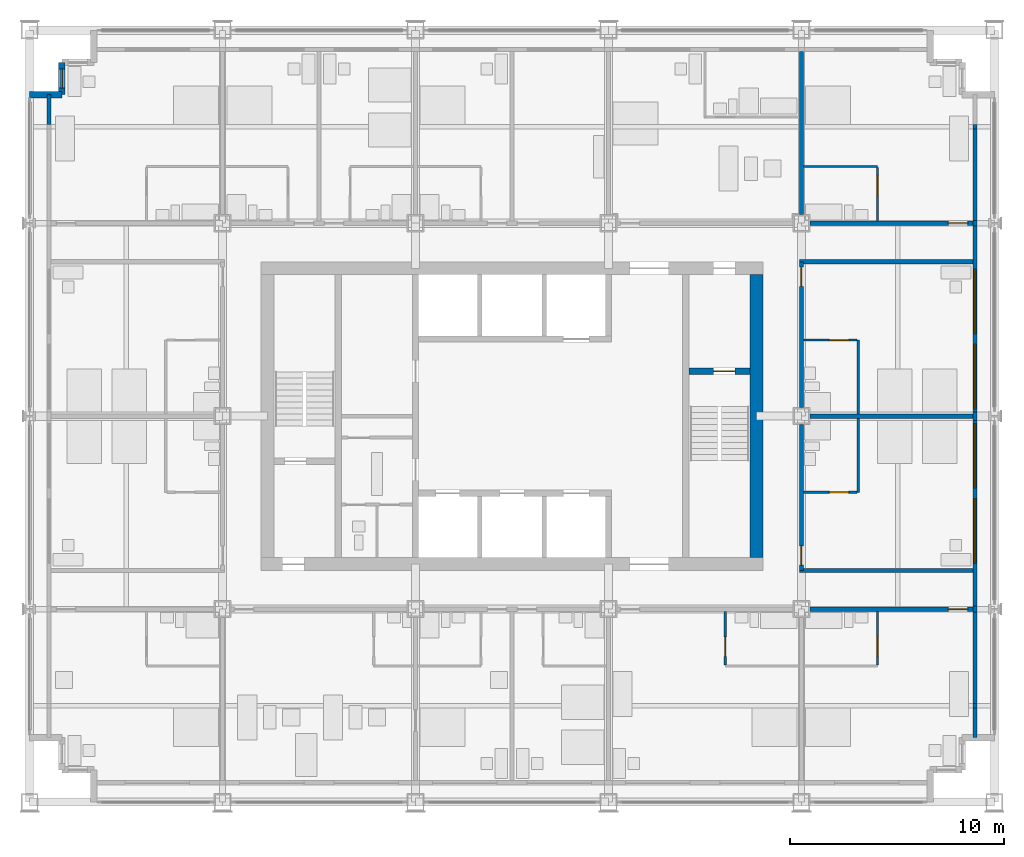
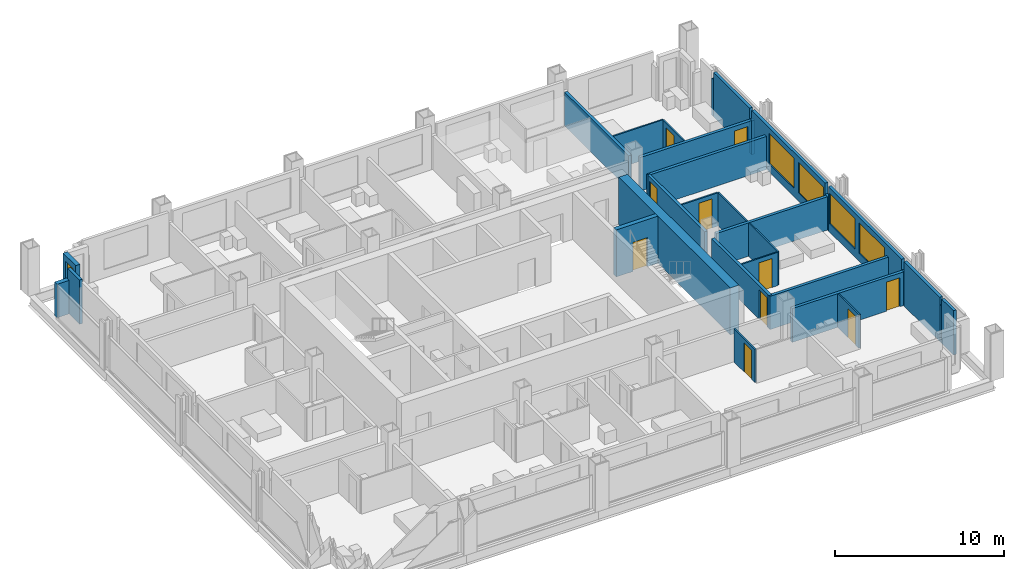
# One storey, part 12 of 16: 31 walls, 10 doors, 5 windows, 15 openings.
"""IFC4 building model written with IfcOpenShell, lengths in metres."""

from ifc_helpers import new_model, si_unit, direction, frame, frame_2d, origin, place, context, subcontext, project, spatial, rectangle, extrude, material, layer, layer_set, type_object, element, fill, save


model = new_model("IFC4")

# Units and contexts
model_context = context("Model", 3, precision=1e-05, world=origin(), true_north=direction((0.0, 1.0)))
body_context = subcontext(model_context, "Body", "Model", "MODEL_VIEW")
ifc_project = project(units=[si_unit("LENGTHUNIT", "METRE"), si_unit("AREAUNIT", "SQUARE_METRE"), si_unit("VOLUMEUNIT", "CUBIC_METRE"), si_unit("PLANEANGLEUNIT", "RADIAN"), si_unit("MASSUNIT", "GRAM", prefix="KILO")], contexts=[model_context])

# Site, building, storey
site_placement = place(None, origin())
site = spatial("IfcSite", under=ifc_project, at=site_placement, CompositionType="ELEMENT")
building_placement = place(site_placement, origin())
building = spatial("IfcBuilding", under=site, at=building_placement, Name="Loomwork Tower", CompositionType="ELEMENT")
storey_placement = place(building_placement, frame((0.0, 0.0, 131.60009765625)))
storey = spatial("IfcBuildingStorey", under=building, at=storey_placement, Name="L35", CompositionType="ELEMENT", Elevation=131.60009765625)

# Wall, opening, door
ifc_material_1 = material(Name="Concrete 14000 psi (97 MPa)", Category="concrete")
ifc_layer_1 = layer(ifc_material_1, 0.300048828125)
ifc_layer_set_1 = layer_set([ifc_layer_1], Name="Core shear wall 300")
wall_type_1 = type_object("IfcWallType", Name="Core shear wall 300", PredefinedType="SHEAR", material=ifc_layer_set_1)
wall_1_placement = place(storey_placement, frame((30.75, 20.10009765625, 0.0), z_axis=(0.0, 0.0, 1.0), x_axis=(1.0, 0.0, 0.0)))
wall_1 = element("IfcWall", 1, at=wall_1_placement, inside=storey, type_object=wall_type_1, Name="Stair B north wall L35", PredefinedType="SHEAR", context=body_context, shape_type="SweptSolid", body=[
    extrude(rectangle(XDim=2.85009765625, YDim=0.300048828125, at=frame_2d((1.425048828125, 0.0))), origin(), (0.0, 0.0, 1.0), 3.39990234375),
])
opening_1_placement = place(wall_1_placement, frame((1.14990234375, 0.0, 0.0)))
opening_1 = element("IfcOpeningElement", 2, at=opening_1_placement, cuts=wall_1, Name="Opening D4", PredefinedType="OPENING", context=body_context, shape_type="SweptSolid", body=[
    extrude(rectangle(XDim=1.0, YDim=2.10009765625, at=frame_2d((0.5, 1.050048828125))), frame((0.0, 0.159912109375, 0.0), z_axis=(0.0, -1.0, 0.0), x_axis=(1.0, 0.0, 0.0)), (0.0, 0.0, 1.0), 0.320068359375),
])
ifc_material_2 = material(Name="Hollow metal door and frame")
door_type_1 = type_object("IfcDoorType", Name="Stair door 1000", OperationType="SINGLE_SWING_RIGHT", PredefinedType="DOOR", material=ifc_material_2)
door_1_placement = place(opening_1_placement, frame((1.0, 0.0, 0.0), z_axis=(0.0, 0.0, 1.0), x_axis=(-1.0, 0.0, 0.0)))
door_1 = element("IfcDoor", 3, at=door_1_placement, inside=storey, type_object=door_type_1, Name="Stair B door", OperationType="SINGLE_SWING_LEFT", OverallHeight=2.10009765625, OverallWidth=1.0, PredefinedType="DOOR", context=body_context, shape_type="SweptSolid", body=[
    extrude(rectangle(XDim=1.0, YDim=2.10009765625, at=frame_2d((0.5, 1.050048828125))), frame((0.0, 0.02490234375, 0.0), z_axis=(0.0, -1.0, 0.0), x_axis=(1.0, 0.0, 0.0)), (0.0, 0.0, 1.0), 0.050048828125),
])
fill(opening_1, door_1)

# Wall
ifc_material_3 = material(Name="Concrete 14000 psi (97 MPa)", Category="concrete")
ifc_layer_2 = layer(ifc_material_3, 0.60009765625)
ifc_layer_set_2 = layer_set([ifc_layer_2], Name="Core shear wall 600")
wall_type_2 = type_object("IfcWallType", Name="Core shear wall 600", PredefinedType="SHEAR", material=ifc_layer_set_2)
wall_2_placement = place(storey_placement, frame((33.89990234375, 11.39990234375, 0.0), z_axis=(0.0, 0.0, 1.0), x_axis=(0.0, 1.0, 0.0)))
element("IfcWall", 4, at=wall_2_placement, inside=storey, type_object=wall_type_2, Name="Core wall east L35", PredefinedType="SHEAR", context=body_context, shape_type="SweptSolid", body=[
    extrude(rectangle(XDim=13.2001953125, YDim=0.60009765625, at=frame_2d((6.60009765625, 0.0))), origin(), (0.0, 0.0, 1.0), 3.39990234375),
])

# Wall, opening, door
ifc_material_4 = material(Name="Gypsum board on steel studs, one-hour", Category="steel")
ifc_layer_3 = layer(ifc_material_4, 0.199951171875)
ifc_layer_set_3 = layer_set([ifc_layer_3], Name="Corridor wall 200")
wall_type_3 = type_object("IfcWallType", Name="Corridor wall 200", PredefinedType="PARTITIONING", material=ifc_layer_set_3)
wall_3_placement = place(storey_placement, frame((36.39990234375, 9.0, 0.0), z_axis=(0.0, 0.0, 1.0), x_axis=(1.0, 0.0, 0.0)))
wall_3 = element("IfcWall", 5, at=wall_3_placement, inside=storey, type_object=wall_type_3, Name="South corridor wall 5", PredefinedType="PARTITIONING", context=body_context, shape_type="SweptSolid", body=[
    extrude(rectangle(XDim=7.60009765625, YDim=0.199951171875, at=frame_2d((3.800048828125, 0.0))), origin(), (0.0, 0.0, 1.0), 2.43798828125),
])
opening_2_placement = place(wall_3_placement, frame((6.449951171875, 0.0, 0.0)))
opening_2 = element("IfcOpeningElement", 6, at=opening_2_placement, cuts=wall_3, Name="Opening D1", PredefinedType="OPENING", context=body_context, shape_type="SweptSolid", body=[
    extrude(rectangle(XDim=0.89990234375, YDim=2.10009765625, at=frame_2d((0.449951171875, 1.050048828125))), frame((0.0, 0.10986328125, 0.0), z_axis=(0.0, -1.0, 0.0), x_axis=(1.0, 0.0, 0.0)), (0.0, 0.0, 1.0), 0.219970703125),
])
ifc_material_5 = material(Name="Hollow metal door and frame")
door_type_2 = type_object("IfcDoorType", Name="Guest room entry door 900", OperationType="SINGLE_SWING_LEFT", PredefinedType="DOOR", material=ifc_material_5)
door_2_placement = place(opening_2_placement, frame((0.89990234375, 0.0, 0.0), z_axis=(0.0, 0.0, 1.0), x_axis=(-1.0, 0.0, 0.0)))
door_2 = element("IfcDoor", 7, at=door_2_placement, inside=storey, type_object=door_type_2, Name="Guest room entry door L35 6", OperationType="SINGLE_SWING_LEFT", OverallHeight=2.10009765625, OverallWidth=0.89990234375, PredefinedType="DOOR", context=body_context, shape_type="SweptSolid", body=[
    extrude(rectangle(XDim=0.89990234375, YDim=2.10009765625, at=frame_2d((0.449951171875, 1.050048828125))), frame((0.0, 0.02490234375, 0.0), z_axis=(0.0, -1.0, 0.0), x_axis=(1.0, 0.0, 0.0)), (0.0, 0.0, 1.0), 0.050048828125),
])
fill(opening_2, door_2)

wall_4_placement = place(storey_placement, frame((36.39990234375, 27.0, 0.0), z_axis=(0.0, 0.0, 1.0), x_axis=(1.0, 0.0, 0.0)))
wall_4 = element("IfcWall", 8, at=wall_4_placement, inside=storey, type_object=wall_type_3, Name="North corridor wall 5", PredefinedType="PARTITIONING", context=body_context, shape_type="SweptSolid", body=[
    extrude(rectangle(XDim=7.60009765625, YDim=0.199951171875, at=frame_2d((3.800048828125, 0.0))), origin(), (0.0, 0.0, 1.0), 2.43798828125),
])
opening_3_placement = place(wall_4_placement, frame((6.449951171875, 0.0, 0.0)))
opening_3 = element("IfcOpeningElement", 9, at=opening_3_placement, cuts=wall_4, Name="Opening D1", PredefinedType="OPENING", context=body_context, shape_type="SweptSolid", body=[
    extrude(rectangle(XDim=0.89990234375, YDim=2.10009765625, at=frame_2d((0.449951171875, 1.050048828125))), frame((0.0, 0.10986328125, 0.0), z_axis=(0.0, -1.0, 0.0), x_axis=(1.0, 0.0, 0.0)), (0.0, 0.0, 1.0), 0.219970703125),
])
door_3_placement = place(opening_3_placement, origin())
door_3 = element("IfcDoor", 10, at=door_3_placement, inside=storey, type_object=door_type_2, Name="Guest room entry door L35 13", OperationType="SINGLE_SWING_RIGHT", OverallHeight=2.10009765625, OverallWidth=0.89990234375, PredefinedType="DOOR", context=body_context, shape_type="SweptSolid", body=[
    extrude(rectangle(XDim=0.89990234375, YDim=2.10009765625, at=frame_2d((0.449951171875, 1.050048828125))), frame((0.0, 0.02490234375, 0.0), z_axis=(0.0, -1.0, 0.0), x_axis=(1.0, 0.0, 0.0)), (0.0, 0.0, 1.0), 0.050048828125),
])
fill(opening_3, door_3)

wall_5_placement = place(storey_placement, frame((36.0, 10.800048828125, 0.0), z_axis=(0.0, 0.0, 1.0), x_axis=(0.0, 1.0, 0.0)))
wall_5 = element("IfcWall", 11, at=wall_5_placement, inside=storey, type_object=wall_type_3, Name="East corridor wall 1", PredefinedType="PARTITIONING", context=body_context, shape_type="SweptSolid", body=[
    extrude(rectangle(XDim=6.800048828125, YDim=0.199951171875, at=frame_2d((3.39990234375, 0.0))), origin(), (0.0, 0.0, 1.0), 2.40478515625),
])
opening_4_placement = place(wall_5_placement, frame((0.25, 0.0, 0.0)))
opening_4 = element("IfcOpeningElement", 12, at=opening_4_placement, cuts=wall_5, Name="Opening D1", PredefinedType="OPENING", context=body_context, shape_type="SweptSolid", body=[
    extrude(rectangle(XDim=0.89990234375, YDim=2.10009765625, at=frame_2d((0.449951171875, 1.050048828125))), frame((0.0, 0.10986328125, 0.0), z_axis=(0.0, -1.0, 0.0), x_axis=(1.0, 0.0, 0.0)), (0.0, 0.0, 1.0), 0.219970703125),
])
door_4_placement = place(opening_4_placement, frame((0.89990234375, 0.0, 0.0), z_axis=(0.0, 0.0, 1.0), x_axis=(-1.0, 0.0, 0.0)))
door_4 = element("IfcDoor", 13, at=door_4_placement, inside=storey, type_object=door_type_2, Name="Guest room entry door L35 16", OperationType="SINGLE_SWING_RIGHT", OverallHeight=2.10009765625, OverallWidth=0.89990234375, PredefinedType="DOOR", context=body_context, shape_type="SweptSolid", body=[
    extrude(rectangle(XDim=0.89990234375, YDim=2.10009765625, at=frame_2d((0.449951171875, 1.050048828125))), frame((0.0, 0.02490234375, 0.0), z_axis=(0.0, -1.0, 0.0), x_axis=(1.0, 0.0, 0.0)), (0.0, 0.0, 1.0), 0.050048828125),
])
fill(opening_4, door_4)

wall_6_placement = place(storey_placement, frame((36.0, 18.39990234375, 0.0), z_axis=(0.0, 0.0, 1.0), x_axis=(0.0, 1.0, 0.0)))
wall_6 = element("IfcWall", 14, at=wall_6_placement, inside=storey, type_object=wall_type_3, Name="East corridor wall 2", PredefinedType="PARTITIONING", context=body_context, shape_type="SweptSolid", body=[
    extrude(rectangle(XDim=6.800048828125, YDim=0.199951171875, at=frame_2d((3.39990234375, 0.0))), origin(), (0.0, 0.0, 1.0), 2.40478515625),
])
opening_5_placement = place(wall_6_placement, frame((5.64990234375, 0.0, 0.0)))
opening_5 = element("IfcOpeningElement", 15, at=opening_5_placement, cuts=wall_6, Name="Opening D1", PredefinedType="OPENING", context=body_context, shape_type="SweptSolid", body=[
    extrude(rectangle(XDim=0.89990234375, YDim=2.10009765625, at=frame_2d((0.449951171875, 1.050048828125))), frame((0.0, 0.10986328125, 0.0), z_axis=(0.0, -1.0, 0.0), x_axis=(1.0, 0.0, 0.0)), (0.0, 0.0, 1.0), 0.219970703125),
])
door_5_placement = place(opening_5_placement, frame((0.89990234375, 0.0, 0.0), z_axis=(0.0, 0.0, 1.0), x_axis=(-1.0, 0.0, 0.0)))
door_5 = element("IfcDoor", 16, at=door_5_placement, inside=storey, type_object=door_type_2, Name="Guest room entry door L35 17", OperationType="SINGLE_SWING_LEFT", OverallHeight=2.10009765625, OverallWidth=0.89990234375, PredefinedType="DOOR", context=body_context, shape_type="SweptSolid", body=[
    extrude(rectangle(XDim=0.89990234375, YDim=2.10009765625, at=frame_2d((0.449951171875, 1.050048828125))), frame((0.0, 0.02490234375, 0.0), z_axis=(0.0, -1.0, 0.0), x_axis=(1.0, 0.0, 0.0)), (0.0, 0.0, 1.0), 0.050048828125),
])
fill(opening_5, door_5)

# Walls
for number, where, z_axis, x_axis, name in (
    (17, (35.89990234375, 10.800048828125, 0.0), (0.0, 0.0, 1.0), (1.0, 0.0, 0.0), "East band end wall S"),
    (18, (35.89990234375, 25.199951171875, 0.0), (0.0, 0.0, 1.0), (1.0, 0.0, 0.0), "East band end wall N"),
):
    element("IfcWall", number, at=place(storey_placement, frame(where, z_axis=z_axis, x_axis=x_axis)), inside=storey, type_object=wall_type_3, Name=name, PredefinedType="PARTITIONING", context=body_context, shape_type="SweptSolid", body=[
        extrude(rectangle(XDim=8.10009765625, YDim=0.199951171875, at=frame_2d((4.050048828125, 0.0))), origin(), (0.0, 0.0, 1.0), 2.40380859375),
    ])

# Wall, opening, door
ifc_material_6 = material(Name="Cement board on steel studs", Category="steel")
ifc_layer_4 = layer(ifc_material_6, 0.10009765625)
ifc_layer_set_4 = layer_set([ifc_layer_4], Name="En-suite partition 100")
wall_type_4 = type_object("IfcWallType", Name="En-suite partition 100", PredefinedType="PARTITIONING", material=ifc_layer_set_4)
wall_7_placement = place(storey_placement, frame((32.449951171875, 8.89990234375, 0.0), z_axis=(0.0, 0.0, 1.0), x_axis=(0.0, -1.0, 0.0)))
wall_7 = element("IfcWall", 19, at=wall_7_placement, inside=storey, type_object=wall_type_4, Name="En-suite side wall L35 room 5", PredefinedType="PARTITIONING", context=body_context, shape_type="SweptSolid", body=[
    extrude(rectangle(XDim=2.5, YDim=0.10009765625, at=frame_2d((1.25, 0.0))), origin(), (0.0, 0.0, 1.0), 2.40380859375),
])
opening_6_placement = place(wall_7_placement, frame((1.199951171875, 0.0, 0.0)))
opening_6 = element("IfcOpeningElement", 20, at=opening_6_placement, cuts=wall_7, Name="Opening D2", PredefinedType="OPENING", context=body_context, shape_type="SweptSolid", body=[
    extrude(rectangle(XDim=0.89990234375, YDim=2.10009765625, at=frame_2d((0.449951171875, 1.050048828125))), frame((0.0, 0.06005859375, 0.0), z_axis=(0.0, -1.0, 0.0), x_axis=(1.0, 0.0, 0.0)), (0.0, 0.0, 1.0), 0.1201171875),
])
ifc_material_7 = material(Name="Hollow metal door and frame")
door_type_3 = type_object("IfcDoorType", Name="En-suite door 900", OperationType="SINGLE_SWING_LEFT", PredefinedType="DOOR", material=ifc_material_7)
door_6_placement = place(opening_6_placement, origin())
door_6 = element("IfcDoor", 21, at=door_6_placement, inside=storey, type_object=door_type_3, Name="En-suite door room 5", OperationType="SINGLE_SWING_RIGHT", OverallHeight=2.10009765625, OverallWidth=0.89990234375, PredefinedType="DOOR", context=body_context, shape_type="SweptSolid", body=[
    extrude(rectangle(XDim=0.89990234375, YDim=2.10009765625, at=frame_2d((0.449951171875, 1.050048828125))), frame((0.0, 0.02490234375, 0.0), z_axis=(0.0, -1.0, 0.0), x_axis=(1.0, 0.0, 0.0)), (0.0, 0.0, 1.0), 0.050048828125),
])
fill(opening_6, door_6)

wall_8_placement = place(storey_placement, frame((39.550048828125, 8.89990234375, 0.0), z_axis=(0.0, 0.0, 1.0), x_axis=(0.0, -1.0, 0.0)))
wall_8 = element("IfcWall", 22, at=wall_8_placement, inside=storey, type_object=wall_type_4, Name="En-suite side wall L35 room 6", PredefinedType="PARTITIONING", context=body_context, shape_type="SweptSolid", body=[
    extrude(rectangle(XDim=2.5, YDim=0.10009765625, at=frame_2d((1.25, 0.0))), origin(), (0.0, 0.0, 1.0), 2.43798828125),
])
opening_7_placement = place(wall_8_placement, frame((1.199951171875, 0.0, 0.0)))
opening_7 = element("IfcOpeningElement", 23, at=opening_7_placement, cuts=wall_8, Name="Opening D2", PredefinedType="OPENING", context=body_context, shape_type="SweptSolid", body=[
    extrude(rectangle(XDim=0.89990234375, YDim=2.10009765625, at=frame_2d((0.449951171875, 1.050048828125))), frame((0.0, 0.06005859375, 0.0), z_axis=(0.0, -1.0, 0.0), x_axis=(1.0, 0.0, 0.0)), (0.0, 0.0, 1.0), 0.1201171875),
])
door_7_placement = place(opening_7_placement, frame((0.89990234375, 0.0, 0.0), z_axis=(0.0, 0.0, 1.0), x_axis=(-1.0, 0.0, 0.0)))
door_7 = element("IfcDoor", 24, at=door_7_placement, inside=storey, type_object=door_type_3, Name="En-suite door room 6", OperationType="SINGLE_SWING_LEFT", OverallHeight=2.10009765625, OverallWidth=0.89990234375, PredefinedType="DOOR", context=body_context, shape_type="SweptSolid", body=[
    extrude(rectangle(XDim=0.89990234375, YDim=2.10009765625, at=frame_2d((0.449951171875, 1.050048828125))), frame((0.0, 0.02490234375, 0.0), z_axis=(0.0, -1.0, 0.0), x_axis=(1.0, 0.0, 0.0)), (0.0, 0.0, 1.0), 0.050048828125),
])
fill(opening_7, door_7)

# Wall
wall_9_placement = place(storey_placement, frame((36.10009765625, 29.64990234375, 0.0), z_axis=(0.0, 0.0, 1.0), x_axis=(1.0, 0.0, 0.0)))
element("IfcWall", 25, at=wall_9_placement, inside=storey, type_object=wall_type_4, Name="En-suite wall L35 room 13", PredefinedType="PARTITIONING", context=body_context, shape_type="SweptSolid", body=[
    extrude(rectangle(XDim=3.449951171875, YDim=0.10009765625, at=frame_2d((1.72509765625, 0.0))), origin(), (0.0, 0.0, 1.0), 2.43798828125),
])

# Wall, opening, door
wall_10_placement = place(storey_placement, frame((39.550048828125, 27.10009765625, 0.0), z_axis=(0.0, 0.0, 1.0), x_axis=(0.0, 1.0, 0.0)))
wall_10 = element("IfcWall", 26, at=wall_10_placement, inside=storey, type_object=wall_type_4, Name="En-suite side wall L35 room 13", PredefinedType="PARTITIONING", context=body_context, shape_type="SweptSolid", body=[
    extrude(rectangle(XDim=2.5, YDim=0.10009765625, at=frame_2d((1.25, 0.0))), origin(), (0.0, 0.0, 1.0), 2.43798828125),
])
opening_8_placement = place(wall_10_placement, frame((1.199951171875, 0.0, 0.0)))
opening_8 = element("IfcOpeningElement", 27, at=opening_8_placement, cuts=wall_10, Name="Opening D2", PredefinedType="OPENING", context=body_context, shape_type="SweptSolid", body=[
    extrude(rectangle(XDim=0.89990234375, YDim=2.10009765625, at=frame_2d((0.449951171875, 1.050048828125))), frame((0.0, 0.06005859375, 0.0), z_axis=(0.0, -1.0, 0.0), x_axis=(1.0, 0.0, 0.0)), (0.0, 0.0, 1.0), 0.1201171875),
])
door_8_placement = place(opening_8_placement, origin())
door_8 = element("IfcDoor", 28, at=door_8_placement, inside=storey, type_object=door_type_3, Name="En-suite door room 13", OperationType="SINGLE_SWING_RIGHT", OverallHeight=2.10009765625, OverallWidth=0.89990234375, PredefinedType="DOOR", context=body_context, shape_type="SweptSolid", body=[
    extrude(rectangle(XDim=0.89990234375, YDim=2.10009765625, at=frame_2d((0.449951171875, 1.050048828125))), frame((0.0, 0.02490234375, 0.0), z_axis=(0.0, -1.0, 0.0), x_axis=(1.0, 0.0, 0.0)), (0.0, 0.0, 1.0), 0.050048828125),
])
fill(opening_8, door_8)

# Wall
wall_11_placement = place(storey_placement, frame((38.64990234375, 14.449951171875, 0.0), z_axis=(0.0, 0.0, 1.0), x_axis=(0.0, 1.0, 0.0)))
element("IfcWall", 29, at=wall_11_placement, inside=storey, type_object=wall_type_4, Name="En-suite wall L35 room 16", PredefinedType="PARTITIONING", context=body_context, shape_type="SweptSolid", body=[
    extrude(rectangle(XDim=3.449951171875, YDim=0.10009765625, at=frame_2d((1.72509765625, 0.0))), origin(), (0.0, 0.0, 1.0), 2.40380859375),
])

# Wall, opening, door
wall_12_placement = place(storey_placement, frame((36.10009765625, 14.449951171875, 0.0), z_axis=(0.0, 0.0, 1.0), x_axis=(1.0, 0.0, 0.0)))
wall_12 = element("IfcWall", 30, at=wall_12_placement, inside=storey, type_object=wall_type_4, Name="En-suite side wall L35 room 16", PredefinedType="PARTITIONING", context=body_context, shape_type="SweptSolid", body=[
    extrude(rectangle(XDim=2.5, YDim=0.10009765625, at=frame_2d((1.25, 0.0))), origin(), (0.0, 0.0, 1.0), 2.40380859375),
])
opening_9_placement = place(wall_12_placement, frame((1.199951171875, 0.0, 0.0)))
opening_9 = element("IfcOpeningElement", 31, at=opening_9_placement, cuts=wall_12, Name="Opening D2", PredefinedType="OPENING", context=body_context, shape_type="SweptSolid", body=[
    extrude(rectangle(XDim=0.89990234375, YDim=2.10009765625, at=frame_2d((0.449951171875, 1.050048828125))), frame((0.0, 0.06005859375, 0.0), z_axis=(0.0, -1.0, 0.0), x_axis=(1.0, 0.0, 0.0)), (0.0, 0.0, 1.0), 0.1201171875),
])
door_9_placement = place(opening_9_placement, origin())
door_9 = element("IfcDoor", 32, at=door_9_placement, inside=storey, type_object=door_type_3, Name="En-suite door room 16", OperationType="SINGLE_SWING_RIGHT", OverallHeight=2.10009765625, OverallWidth=0.89990234375, PredefinedType="DOOR", context=body_context, shape_type="SweptSolid", body=[
    extrude(rectangle(XDim=0.89990234375, YDim=2.10009765625, at=frame_2d((0.449951171875, 1.050048828125))), frame((0.0, 0.02490234375, 0.0), z_axis=(0.0, -1.0, 0.0), x_axis=(1.0, 0.0, 0.0)), (0.0, 0.0, 1.0), 0.050048828125),
])
fill(opening_9, door_9)

# Wall
wall_13_placement = place(storey_placement, frame((38.64990234375, 18.10009765625, 0.0), z_axis=(0.0, 0.0, 1.0), x_axis=(0.0, 1.0, 0.0)))
element("IfcWall", 33, at=wall_13_placement, inside=storey, type_object=wall_type_4, Name="En-suite wall L35 room 17", PredefinedType="PARTITIONING", context=body_context, shape_type="SweptSolid", body=[
    extrude(rectangle(XDim=3.449951171875, YDim=0.10009765625, at=frame_2d((1.72509765625, 0.0))), origin(), (0.0, 0.0, 1.0), 2.40380859375),
])

# Wall, opening, door
wall_14_placement = place(storey_placement, frame((36.10009765625, 21.550048828125, 0.0), z_axis=(0.0, 0.0, 1.0), x_axis=(1.0, 0.0, 0.0)))
wall_14 = element("IfcWall", 34, at=wall_14_placement, inside=storey, type_object=wall_type_4, Name="En-suite side wall L35 room 17", PredefinedType="PARTITIONING", context=body_context, shape_type="SweptSolid", body=[
    extrude(rectangle(XDim=2.5, YDim=0.10009765625, at=frame_2d((1.25, 0.0))), origin(), (0.0, 0.0, 1.0), 2.40380859375),
])
opening_10_placement = place(wall_14_placement, frame((1.199951171875, 0.0, 0.0)))
opening_10 = element("IfcOpeningElement", 35, at=opening_10_placement, cuts=wall_14, Name="Opening D2", PredefinedType="OPENING", context=body_context, shape_type="SweptSolid", body=[
    extrude(rectangle(XDim=0.89990234375, YDim=2.10009765625, at=frame_2d((0.449951171875, 1.050048828125))), frame((0.0, 0.06005859375, 0.0), z_axis=(0.0, -1.0, 0.0), x_axis=(1.0, 0.0, 0.0)), (0.0, 0.0, 1.0), 0.1201171875),
])
door_10_placement = place(opening_10_placement, frame((0.89990234375, 0.0, 0.0), z_axis=(0.0, 0.0, 1.0), x_axis=(-1.0, 0.0, 0.0)))
door_10 = element("IfcDoor", 36, at=door_10_placement, inside=storey, type_object=door_type_3, Name="En-suite door room 17", OperationType="SINGLE_SWING_LEFT", OverallHeight=2.10009765625, OverallWidth=0.89990234375, PredefinedType="DOOR", context=body_context, shape_type="SweptSolid", body=[
    extrude(rectangle(XDim=0.89990234375, YDim=2.10009765625, at=frame_2d((0.449951171875, 1.050048828125))), frame((0.0, 0.02490234375, 0.0), z_axis=(0.0, -1.0, 0.0), x_axis=(1.0, 0.0, 0.0)), (0.0, 0.0, 1.0), 0.050048828125),
])
fill(opening_10, door_10)

# Walls
ifc_material_8 = material(Name="Gypsum board on steel studs, acoustic", Category="steel")
ifc_layer_5 = layer(ifc_material_8, 0.199951171875)
ifc_layer_set_5 = layer_set([ifc_layer_5], Name="Guest room party wall 200")
wall_type_5 = type_object("IfcWallType", Name="Guest room party wall 200", PredefinedType="PARTITIONING", material=ifc_layer_set_5)
wall_15_placement = place(storey_placement, frame((36.0, 27.39990234375, 0.0), z_axis=(0.0, 0.0, 1.0), x_axis=(0.0, 1.0, 0.0)))
element("IfcWall", 37, at=wall_15_placement, inside=storey, type_object=wall_type_5, Name="Guest room party wall N 36", PredefinedType="PARTITIONING", context=body_context, shape_type="SweptSolid", body=[
    extrude(rectangle(XDim=7.60009765625, YDim=0.199951171875, at=frame_2d((3.800048828125, 0.0))), origin(), (0.0, 0.0, 1.0), 2.43798828125),
])
wall_16_placement = place(storey_placement, frame((36.39990234375, 18.0, 0.0), z_axis=(0.0, 0.0, 1.0), x_axis=(1.0, 0.0, 0.0)))
element("IfcWall", 38, at=wall_16_placement, inside=storey, type_object=wall_type_5, Name="Guest room party wall E 18", PredefinedType="PARTITIONING", context=body_context, shape_type="SweptSolid", body=[
    extrude(rectangle(XDim=7.60009765625, YDim=0.199951171875, at=frame_2d((3.800048828125, 0.0))), origin(), (0.0, 0.0, 1.0), 2.40478515625),
])
ifc_material_9 = material(Name="Insulated steel stud wall with gypsum lining", Category="steel")
ifc_layer_6 = layer(ifc_material_9, 0.199951171875)
ifc_layer_set_6 = layer_set([ifc_layer_6], Name="Inner skin wall 200")
wall_type_6 = type_object("IfcWallType", Name="Inner skin wall 200", PredefinedType="SOLIDWALL", material=ifc_layer_set_6)
for number, where, z_axis, x_axis, name in (
    (39, (44.10009765625, 3.0, 0.0), (0.0, 0.0, 1.0), (0.0, 1.0, 0.0), "Inner skin wall E"),
    (40, (0.89990234375, 31.607421875, 0.0), (0.0, 0.0, 1.0), (0.0, 1.0, 0.0), "Inner skin wall W bay 11"),
):
    element("IfcWall", number, at=place(storey_placement, frame(where, z_axis=z_axis, x_axis=x_axis)), inside=storey, type_object=wall_type_6, Name=name, PredefinedType="SOLIDWALL", context=body_context, shape_type="SweptSolid", body=[
        extrude(rectangle(XDim=1.392578125, YDim=0.199951171875, at=frame_2d((0.6962890625, 0.0))), origin(), (0.0, 0.0, 1.0), 3.199951171875),
    ])
wall_17_placement = place(storey_placement, frame((44.10009765625, 4.392578125, 0.0), z_axis=(0.0, 0.0, 1.0), x_axis=(0.0, 1.0, 0.0)))
element("IfcWall", 41, at=wall_17_placement, inside=storey, type_object=wall_type_6, Name="Inner skin wall E bay 2", PredefinedType="SOLIDWALL", context=body_context, shape_type="SweptSolid", body=[
    extrude(rectangle(XDim=0.21484375, YDim=0.199951171875, at=frame_2d((0.107421875, 0.0))), origin(), (0.0, 0.0, 1.0), 2.660888671875),
])
wall_18_placement = place(storey_placement, frame((44.10009765625, 4.607421875, 0.0), z_axis=(0.0, 0.0, 1.0), x_axis=(0.0, 1.0, 0.0)))
element("IfcWall", 42, at=wall_18_placement, inside=storey, type_object=wall_type_6, Name="Inner skin wall E bay 3", PredefinedType="SOLIDWALL", context=body_context, shape_type="SweptSolid", body=[
    extrude(rectangle(XDim=4.25732421875, YDim=0.199951171875, at=frame_2d((2.128662109375, 0.0))), origin(), (0.0, 0.0, 1.0), 3.199951171875),
])
wall_19_placement = place(storey_placement, frame((44.10009765625, 8.86474609375, 0.0), z_axis=(0.0, 0.0, 1.0), x_axis=(0.0, 1.0, 0.0)))
element("IfcWall", 43, at=wall_19_placement, inside=storey, type_object=wall_type_6, Name="Inner skin wall E bay 4", PredefinedType="SOLIDWALL", context=body_context, shape_type="SweptSolid", body=[
    extrude(rectangle(XDim=0.2705078125, YDim=0.199951171875, at=frame_2d((0.13525390625, 0.0))), origin(), (0.0, 0.0, 1.0), 2.43798828125),
])

# Wall, openings, windows
wall_20_placement = place(storey_placement, frame((44.10009765625, 9.13525390625, 0.0), z_axis=(0.0, 0.0, 1.0), x_axis=(0.0, 1.0, 0.0)))
wall_20 = element("IfcWall", 44, at=wall_20_placement, inside=storey, type_object=wall_type_6, Name="Inner skin wall E bay 5", PredefinedType="SOLIDWALL", context=body_context, shape_type="SweptSolid", body=[
    extrude(rectangle(XDim=8.6708984375, YDim=0.199951171875, at=frame_2d((4.33544921875, 0.0))), origin(), (0.0, 0.0, 1.0), 3.199951171875),
])
opening_11_placement = place(wall_20_placement, frame((2.0146484375, 0.0, 0.60009765625)))
opening_11 = element("IfcOpeningElement", 45, at=opening_11_placement, cuts=wall_20, Name="Opening CH1", PredefinedType="OPENING", context=body_context, shape_type="SweptSolid", body=[
    extrude(rectangle(XDim=3.0, YDim=2.199951171875, at=frame_2d((1.5, 1.10009765625))), frame((0.0, 0.10986328125, 0.0), z_axis=(0.0, -1.0, 0.0), x_axis=(1.0, 0.0, 0.0)), (0.0, 0.0, 1.0), 0.219970703125),
])
opening_12_placement = place(wall_20_placement, frame((5.5146484375, 0.0, 0.60009765625)))
opening_12 = element("IfcOpeningElement", 46, at=opening_12_placement, cuts=wall_20, Name="Opening CH1", PredefinedType="OPENING", context=body_context, shape_type="SweptSolid", body=[
    extrude(rectangle(XDim=3.0, YDim=2.199951171875, at=frame_2d((1.5, 1.10009765625))), frame((0.0, 0.10986328125, 0.0), z_axis=(0.0, -1.0, 0.0), x_axis=(1.0, 0.0, 0.0)), (0.0, 0.0, 1.0), 0.219970703125),
])
ifc_material_10 = material(Name="Aluminium frame with clear insulated glass", Category="aluminium")
window_type_1 = type_object("IfcWindowType", Name="Chicago window 3000", PartitioningType="TRIPLE_PANEL_VERTICAL", PredefinedType="WINDOW", material=ifc_material_10)
window_1_placement = place(opening_11_placement, origin())
window_1 = element("IfcWindow", 47, at=window_1_placement, inside=storey, type_object=window_type_1, Name="Chicago window L35 bay 13", OverallHeight=2.199951171875, OverallWidth=3.0, PartitioningType="TRIPLE_PANEL_VERTICAL", PredefinedType="WINDOW", context=body_context, shape_type="SweptSolid", body=[
    extrude(rectangle(XDim=3.0, YDim=2.199951171875, at=frame_2d((1.5, 1.10009765625))), frame((0.0, 0.030029296875, 0.0), z_axis=(0.0, -1.0, 0.0), x_axis=(1.0, 0.0, 0.0)), (0.0, 0.0, 1.0), 0.06005859375),
])
fill(opening_11, window_1)
window_2_placement = place(opening_12_placement, origin())
window_2 = element("IfcWindow", 48, at=window_2_placement, inside=storey, type_object=window_type_1, Name="Chicago window L35 bay 13", OverallHeight=2.199951171875, OverallWidth=3.0, PartitioningType="TRIPLE_PANEL_VERTICAL", PredefinedType="WINDOW", context=body_context, shape_type="SweptSolid", body=[
    extrude(rectangle(XDim=3.0, YDim=2.199951171875, at=frame_2d((1.5, 1.10009765625))), frame((0.0, 0.030029296875, 0.0), z_axis=(0.0, -1.0, 0.0), x_axis=(1.0, 0.0, 0.0)), (0.0, 0.0, 1.0), 0.06005859375),
])
fill(opening_12, window_2)

# Wall
wall_21_placement = place(storey_placement, frame((44.10009765625, 17.80615234375, 0.0), z_axis=(0.0, 0.0, 1.0), x_axis=(0.0, 1.0, 0.0)))
element("IfcWall", 49, at=wall_21_placement, inside=storey, type_object=wall_type_6, Name="Inner skin wall E bay 6", PredefinedType="SOLIDWALL", context=body_context, shape_type="SweptSolid", body=[
    extrude(rectangle(XDim=0.3876953125, YDim=0.199951171875, at=frame_2d((0.19384765625, 0.0))), origin(), (0.0, 0.0, 1.0), 2.40380859375),
])

# Wall, openings, windows
wall_22_placement = place(storey_placement, frame((44.10009765625, 18.19384765625, 0.0), z_axis=(0.0, 0.0, 1.0), x_axis=(0.0, 1.0, 0.0)))
wall_22 = element("IfcWall", 50, at=wall_22_placement, inside=storey, type_object=wall_type_6, Name="Inner skin wall E bay 7", PredefinedType="SOLIDWALL", context=body_context, shape_type="SweptSolid", body=[
    extrude(rectangle(XDim=8.6708984375, YDim=0.199951171875, at=frame_2d((4.33544921875, 0.0))), origin(), (0.0, 0.0, 1.0), 3.199951171875),
])
opening_13_placement = place(wall_22_placement, frame((0.15625, 0.0, 0.60009765625)))
opening_13 = element("IfcOpeningElement", 51, at=opening_13_placement, cuts=wall_22, Name="Opening CH1", PredefinedType="OPENING", context=body_context, shape_type="SweptSolid", body=[
    extrude(rectangle(XDim=3.0, YDim=2.199951171875, at=frame_2d((1.5, 1.10009765625))), frame((0.0, 0.10986328125, 0.0), z_axis=(0.0, -1.0, 0.0), x_axis=(1.0, 0.0, 0.0)), (0.0, 0.0, 1.0), 0.219970703125),
])
opening_14_placement = place(wall_22_placement, frame((3.65625, 0.0, 0.60009765625)))
opening_14 = element("IfcOpeningElement", 52, at=opening_14_placement, cuts=wall_22, Name="Opening CH1", PredefinedType="OPENING", context=body_context, shape_type="SweptSolid", body=[
    extrude(rectangle(XDim=3.0, YDim=2.199951171875, at=frame_2d((1.5, 1.10009765625))), frame((0.0, 0.10986328125, 0.0), z_axis=(0.0, -1.0, 0.0), x_axis=(1.0, 0.0, 0.0)), (0.0, 0.0, 1.0), 0.219970703125),
])
window_3_placement = place(opening_13_placement, origin())
window_3 = element("IfcWindow", 53, at=window_3_placement, inside=storey, type_object=window_type_1, Name="Chicago window L35 bay 14", OverallHeight=2.199951171875, OverallWidth=3.0, PartitioningType="TRIPLE_PANEL_VERTICAL", PredefinedType="WINDOW", context=body_context, shape_type="SweptSolid", body=[
    extrude(rectangle(XDim=3.0, YDim=2.199951171875, at=frame_2d((1.5, 1.10009765625))), frame((0.0, 0.030029296875, 0.0), z_axis=(0.0, -1.0, 0.0), x_axis=(1.0, 0.0, 0.0)), (0.0, 0.0, 1.0), 0.06005859375),
])
fill(opening_13, window_3)
window_4_placement = place(opening_14_placement, origin())
window_4 = element("IfcWindow", 54, at=window_4_placement, inside=storey, type_object=window_type_1, Name="Chicago window L35 bay 14", OverallHeight=2.199951171875, OverallWidth=3.0, PartitioningType="TRIPLE_PANEL_VERTICAL", PredefinedType="WINDOW", context=body_context, shape_type="SweptSolid", body=[
    extrude(rectangle(XDim=3.0, YDim=2.199951171875, at=frame_2d((1.5, 1.10009765625))), frame((0.0, 0.030029296875, 0.0), z_axis=(0.0, -1.0, 0.0), x_axis=(1.0, 0.0, 0.0)), (0.0, 0.0, 1.0), 0.06005859375),
])
fill(opening_14, window_4)

# Walls
wall_23_placement = place(storey_placement, frame((44.10009765625, 26.86474609375, 0.0), z_axis=(0.0, 0.0, 1.0), x_axis=(0.0, 1.0, 0.0)))
element("IfcWall", 55, at=wall_23_placement, inside=storey, type_object=wall_type_6, Name="Inner skin wall E bay 8", PredefinedType="SOLIDWALL", context=body_context, shape_type="SweptSolid", body=[
    extrude(rectangle(XDim=0.2705078125, YDim=0.199951171875, at=frame_2d((0.13525390625, 0.0))), origin(), (0.0, 0.0, 1.0), 2.43798828125),
])
wall_24_placement = place(storey_placement, frame((44.10009765625, 27.13525390625, 0.0), z_axis=(0.0, 0.0, 1.0), x_axis=(0.0, 1.0, 0.0)))
element("IfcWall", 56, at=wall_24_placement, inside=storey, type_object=wall_type_6, Name="Inner skin wall E bay 9", PredefinedType="SOLIDWALL", context=body_context, shape_type="SweptSolid", body=[
    extrude(rectangle(XDim=4.25732421875, YDim=0.199951171875, at=frame_2d((2.128662109375, 0.0))), origin(), (0.0, 0.0, 1.0), 3.199951171875),
])
wall_25_placement = place(storey_placement, frame((44.10009765625, 31.392578125, 0.0), z_axis=(0.0, 0.0, 1.0), x_axis=(0.0, 1.0, 0.0)))
element("IfcWall", 57, at=wall_25_placement, inside=storey, type_object=wall_type_6, Name="Inner skin wall E bay 10", PredefinedType="SOLIDWALL", context=body_context, shape_type="SweptSolid", body=[
    extrude(rectangle(XDim=0.21484375, YDim=0.199951171875, at=frame_2d((0.107421875, 0.0))), origin(), (0.0, 0.0, 1.0), 2.660888671875),
])

# Wall, opening, window
ifc_material_11 = material(Name="Limestone on concrete masonry", Category="masonry")
ifc_layer_7 = layer(ifc_material_11, 0.300048828125)
ifc_layer_set_7 = layer_set([ifc_layer_7], Name="Limestone corner wall 300")
wall_type_7 = type_object("IfcWallType", Name="Limestone corner wall 300", PredefinedType="SOLIDWALL", material=ifc_layer_set_7)
wall_26_placement = place(storey_placement, frame((1.5, 34.5, 0.0), z_axis=(0.0, 0.0, 1.0), x_axis=(0.0, -1.0, 0.0)))
wall_26 = element("IfcWall", 58, at=wall_26_placement, inside=storey, type_object=wall_type_7, Name="Stone corner wall NW 3", PredefinedType="SOLIDWALL", context=body_context, shape_type="SweptSolid", body=[
    extrude(rectangle(XDim=1.5, YDim=0.300048828125, at=frame_2d((0.75, 0.0))), origin(), (0.0, 0.0, 1.0), 3.199951171875),
])
opening_15_placement = place(wall_26_placement, frame((0.300048828125, 0.0, 0.60009765625)))
opening_15 = element("IfcOpeningElement", 59, at=opening_15_placement, cuts=wall_26, Name="Opening CH2", PredefinedType="OPENING", context=body_context, shape_type="SweptSolid", body=[
    extrude(rectangle(XDim=0.89990234375, YDim=2.199951171875, at=frame_2d((0.449951171875, 1.10009765625))), frame((0.0, 0.159912109375, 0.0), z_axis=(0.0, -1.0, 0.0), x_axis=(1.0, 0.0, 0.0)), (0.0, 0.0, 1.0), 0.320068359375),
])
ifc_material_12 = material(Name="Aluminium frame with clear insulated glass", Category="aluminium")
window_type_2 = type_object("IfcWindowType", Name="Corner window 900", PartitioningType="SINGLE_PANEL", PredefinedType="WINDOW", material=ifc_material_12)
window_5_placement = place(opening_15_placement, origin())
window_5 = element("IfcWindow", 60, at=window_5_placement, inside=storey, type_object=window_type_2, Name="Corner window NW", OverallHeight=2.199951171875, OverallWidth=0.89990234375, PartitioningType="SINGLE_PANEL", PredefinedType="WINDOW", context=body_context, shape_type="SweptSolid", body=[
    extrude(rectangle(XDim=0.89990234375, YDim=2.199951171875, at=frame_2d((0.449951171875, 1.10009765625))), frame((0.0, 0.030029296875, 0.0), z_axis=(0.0, -1.0, 0.0), x_axis=(1.0, 0.0, 0.0)), (0.0, 0.0, 1.0), 0.06005859375),
])
fill(opening_15, window_5)

# Wall
wall_27_placement = place(storey_placement, frame((1.5, 33.0, 0.0), z_axis=(0.0, 0.0, 1.0), x_axis=(-1.0, 0.0, 0.0)))
element("IfcWall", 61, at=wall_27_placement, inside=storey, type_object=wall_type_7, Name="Stone corner wall NW 4", PredefinedType="SOLIDWALL", context=body_context, shape_type="SweptSolid", body=[
    extrude(rectangle(XDim=1.5, YDim=0.300048828125, at=frame_2d((0.75, 0.0))), origin(), (0.0, 0.0, 1.0), 2.419921875),
])

save(model, "model.ifc")
